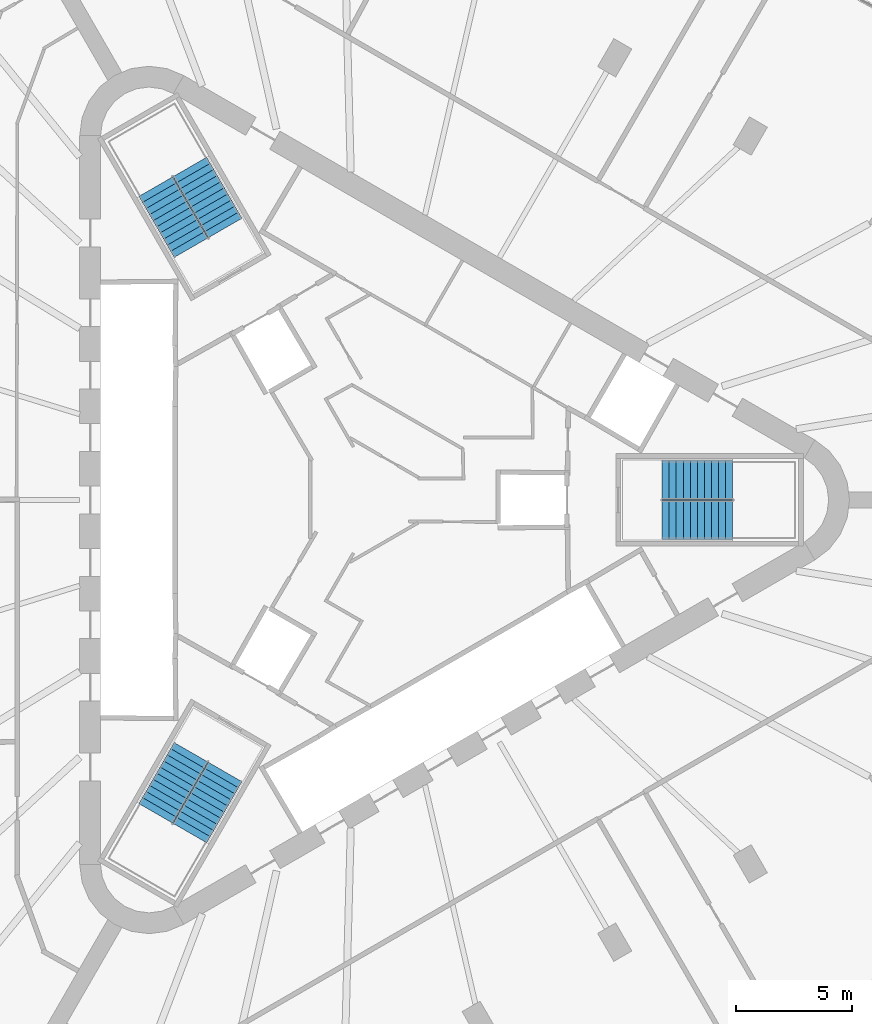
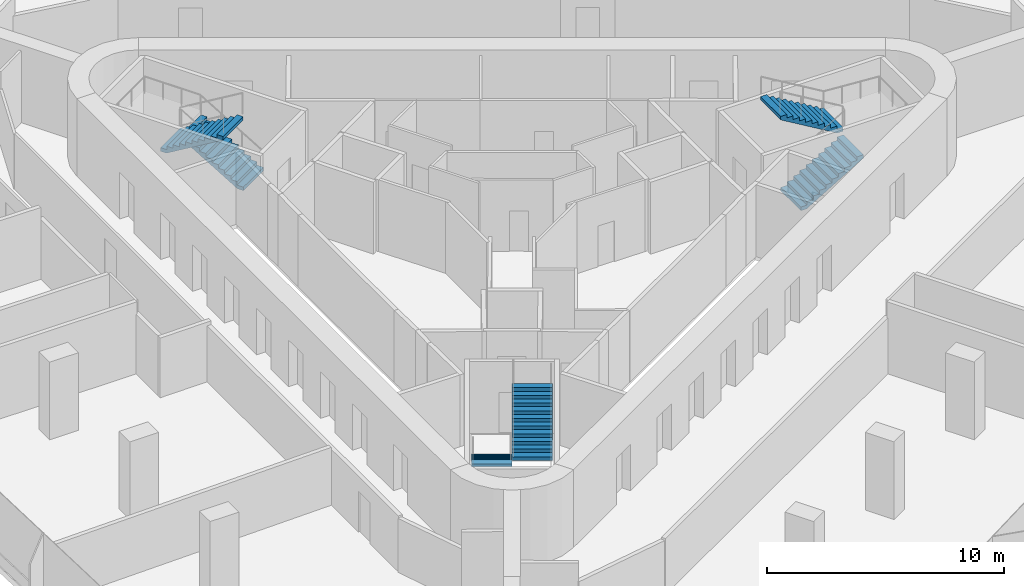
# One storey, part 13 of 14: 6 stair flights, 3 elements without a shape of their own.
"""IFC4 building model written with IfcOpenShell, lengths in metres."""

from ifc_helpers import new_model, si_unit, direction, frame, origin, place, context, subcontext, project, spatial, polyline, outline, extrude, material, type_object, element, aggregate, save


model = new_model("IFC4")

# Units and contexts
model_context = context("Model", 3, precision=1e-05, world=origin(), true_north=direction((0.0, 1.0)))
body_context = subcontext(model_context, "Body", "Model", "MODEL_VIEW")
ifc_project = project(units=[si_unit("LENGTHUNIT", "METRE"), si_unit("AREAUNIT", "SQUARE_METRE"), si_unit("VOLUMEUNIT", "CUBIC_METRE"), si_unit("PLANEANGLEUNIT", "RADIAN"), si_unit("MASSUNIT", "GRAM", prefix="KILO")], contexts=[model_context])

# Site, building, storey
site_placement = place(None, origin())
site = spatial("IfcSite", under=ifc_project, at=site_placement, CompositionType="ELEMENT")
building_placement = place(site_placement, origin())
building = spatial("IfcBuilding", under=site, at=building_placement, Name="Tanit Gate Tower", CompositionType="ELEMENT")
storey_placement = place(building_placement, frame((0.0, 0.0, 225.199951171875)))
storey = spatial("IfcBuildingStorey", under=building, at=storey_placement, Name="L50", CompositionType="ELEMENT", Elevation=225.199951171875)

# Stair, stair flights
ifc_material_1 = material(Name="Concrete C40/50", Category="concrete")
stair_type = type_object("IfcStairType", Name="INT-STAIR-EXIT", PredefinedType="HALF_TURN_STAIR", material=ifc_material_1)
stair_1_placement = place(storey_placement, origin())
stair_1 = element("IfcStair", 1, at=stair_1_placement, inside=storey, type_object=stair_type, Name="L50 STAIR S1", PredefinedType="HALF_TURN_STAIR")
ifc_material_2 = material(Name="Concrete C40/50", Category="concrete")
stair_flight_type = type_object("IfcStairFlightType", Name="INT-STAIR-FLIGHT", PredefinedType="STRAIGHT", material=ifc_material_2)
stair_flight_1_placement = place(storey_placement, frame((13.094970703125, -0.8525390625, 0.0), z_axis=(0.0, 0.0, 1.0), x_axis=(1.0, 0.0, 0.0)))
stair_flight_1 = element("IfcStairFlight", 2, at=stair_flight_1_placement, type_object=stair_flight_type, Name="S1 flight 1", NumberOfRisers=11, NumberOfTreads=10, PredefinedType="STRAIGHT", RiserHeight=0.181818182, TreadLength=0.3051, context=body_context, shape_type="SweptSolid", body=[
    extrude(outline(polyline([(0.0, 0.0), (0.0, 0.181884765625), (0.30517578125, 0.181884765625), (0.30517578125, 0.363525390625), (0.610107421875, 0.363525390625), (0.610107421875, 0.54541015625), (0.915283203125, 0.54541015625), (0.915283203125, 0.727294921875), (1.220458984375, 0.727294921875), (1.220458984375, 0.9091796875), (1.525390625, 0.9091796875), (1.525390625, 1.0908203125), (1.83056640625, 1.0908203125), (1.83056640625, 1.272705078125), (2.1357421875, 1.272705078125), (2.1357421875, 1.45458984375), (2.44091796875, 1.45458984375), (2.44091796875, 1.636474609375), (2.745849609375, 1.636474609375), (2.745849609375, 1.818115234375), (3.051025390625, 1.818115234375), (3.051025390625, 2.0), (3.051025390625, 1.643798828125), (0.292724609375, 0.0), (0.0, 0.0)])), frame((0.0, 0.84765625, 0.0), z_axis=(0.0, -1.0, 0.0), x_axis=(1.0, 0.0, 0.0)), (0.0, 0.0, 1.0), 1.695068359375),
])
stair_flight_2_placement = place(storey_placement, frame((16.14599609375, 0.8525390625, 2.0), z_axis=(0.0, 0.0, 1.0), x_axis=(-1.0, 0.0, 0.0)))
stair_flight_2 = element("IfcStairFlight", 3, at=stair_flight_2_placement, type_object=stair_flight_type, Name="S1 flight 2", NumberOfRisers=11, NumberOfTreads=10, PredefinedType="STRAIGHT", RiserHeight=0.181818182, TreadLength=0.3051, context=body_context, shape_type="SweptSolid", body=[
    extrude(outline(polyline([(0.0, 0.0), (0.0, 0.181884765625), (0.30517578125, 0.181884765625), (0.30517578125, 0.363525390625), (0.610107421875, 0.363525390625), (0.610107421875, 0.54541015625), (0.915283203125, 0.54541015625), (0.915283203125, 0.727294921875), (1.220458984375, 0.727294921875), (1.220458984375, 0.9091796875), (1.525390625, 0.9091796875), (1.525390625, 1.0908203125), (1.83056640625, 1.0908203125), (1.83056640625, 1.272705078125), (2.1357421875, 1.272705078125), (2.1357421875, 1.45458984375), (2.44091796875, 1.45458984375), (2.44091796875, 1.636474609375), (2.745849609375, 1.636474609375), (2.745849609375, 1.818115234375), (3.051025390625, 1.818115234375), (3.051025390625, 2.0), (3.051025390625, 1.643798828125), (0.292724609375, 0.0), (0.0, 0.0)])), frame((0.0, 0.84765625, 0.0), z_axis=(0.0, -1.0, 0.0), x_axis=(1.0, 0.0, 0.0)), (0.0, 0.0, 1.0), 1.695068359375),
])
aggregate(stair_1, [stair_flight_1, stair_flight_2])

stair_2_placement = place(storey_placement, origin())
stair_2 = element("IfcStair", 4, at=stair_2_placement, inside=storey, type_object=stair_type, Name="L50 STAIR S2", PredefinedType="HALF_TURN_STAIR")
stair_flight_3_placement = place(storey_placement, frame((-5.808349609375, 11.766357421875, 0.0), z_axis=(0.0, 0.0, 1.0), x_axis=(-0.5, 0.866025403784, 0.0)))
stair_flight_3 = element("IfcStairFlight", 5, at=stair_flight_3_placement, type_object=stair_flight_type, Name="S2 flight 1", NumberOfRisers=11, NumberOfTreads=10, PredefinedType="STRAIGHT", RiserHeight=0.181818182, TreadLength=0.30492, context=body_context, shape_type="SweptSolid", body=[
    extrude(outline(polyline([(0.0, 0.0), (0.0, 0.181884765625), (0.304931640625, 0.181884765625), (0.304931640625, 0.363525390625), (0.60986328125, 0.363525390625), (0.60986328125, 0.54541015625), (0.914794921875, 0.54541015625), (0.914794921875, 0.727294921875), (1.2197265625, 0.727294921875), (1.2197265625, 0.9091796875), (1.524658203125, 0.9091796875), (1.524658203125, 1.0908203125), (1.82958984375, 1.0908203125), (1.82958984375, 1.272705078125), (2.134521484375, 1.272705078125), (2.134521484375, 1.45458984375), (2.439453125, 1.45458984375), (2.439453125, 1.636474609375), (2.744384765625, 1.636474609375), (2.744384765625, 1.818115234375), (3.04931640625, 1.818115234375), (3.04931640625, 2.0), (3.04931640625, 1.6435546875), (0.292724609375, 0.0), (0.0, 0.0)])), frame((0.0, 0.84716796875, 0.0), z_axis=(0.0, -1.0, 0.0), x_axis=(1.0, 0.0, 0.0)), (0.0, 0.0, 1.0), 1.694091796875),
])
stair_flight_4_placement = place(storey_placement, frame((-8.810302734375, 13.553955078125, 2.0), z_axis=(0.0, 0.0, 1.0), x_axis=(0.5, -0.866025403784, 0.0)))
stair_flight_4 = element("IfcStairFlight", 6, at=stair_flight_4_placement, type_object=stair_flight_type, Name="S2 flight 2", NumberOfRisers=11, NumberOfTreads=10, PredefinedType="STRAIGHT", RiserHeight=0.181818182, TreadLength=0.30492, context=body_context, shape_type="SweptSolid", body=[
    extrude(outline(polyline([(0.0, 0.0), (0.0, 0.181884765625), (0.304931640625, 0.181884765625), (0.304931640625, 0.363525390625), (0.60986328125, 0.363525390625), (0.60986328125, 0.54541015625), (0.914794921875, 0.54541015625), (0.914794921875, 0.727294921875), (1.2197265625, 0.727294921875), (1.2197265625, 0.9091796875), (1.524658203125, 0.9091796875), (1.524658203125, 1.0908203125), (1.82958984375, 1.0908203125), (1.82958984375, 1.272705078125), (2.134521484375, 1.272705078125), (2.134521484375, 1.45458984375), (2.439453125, 1.45458984375), (2.439453125, 1.636474609375), (2.744384765625, 1.636474609375), (2.744384765625, 1.818115234375), (3.04931640625, 1.818115234375), (3.04931640625, 2.0), (3.04931640625, 1.6435546875), (0.292724609375, 0.0), (0.0, 0.0)])), frame((0.0, 0.84716796875, 0.0), z_axis=(0.0, -1.0, 0.0), x_axis=(1.0, 0.0, 0.0)), (0.0, 0.0, 1.0), 1.694091796875),
])
aggregate(stair_2, [stair_flight_3, stair_flight_4])

stair_3_placement = place(storey_placement, origin())
stair_3 = element("IfcStair", 7, at=stair_3_placement, inside=storey, type_object=stair_type, Name="L50 STAIR S3", PredefinedType="HALF_TURN_STAIR")
stair_flight_5_placement = place(storey_placement, frame((-7.285888671875, -10.914306640625, 0.0), z_axis=(0.0, 0.0, 1.0), x_axis=(-0.5, -0.866025403784, 0.0)))
stair_flight_5 = element("IfcStairFlight", 8, at=stair_flight_5_placement, type_object=stair_flight_type, Name="S3 flight 1", NumberOfRisers=11, NumberOfTreads=10, PredefinedType="STRAIGHT", RiserHeight=0.181818182, TreadLength=0.3051, context=body_context, shape_type="SweptSolid", body=[
    extrude(outline(polyline([(0.0, 0.0), (0.0, 0.181884765625), (0.30517578125, 0.181884765625), (0.30517578125, 0.363525390625), (0.610107421875, 0.363525390625), (0.610107421875, 0.54541015625), (0.915283203125, 0.54541015625), (0.915283203125, 0.727294921875), (1.220458984375, 0.727294921875), (1.220458984375, 0.9091796875), (1.525390625, 0.9091796875), (1.525390625, 1.0908203125), (1.83056640625, 1.0908203125), (1.83056640625, 1.272705078125), (2.1357421875, 1.272705078125), (2.1357421875, 1.45458984375), (2.44091796875, 1.45458984375), (2.44091796875, 1.636474609375), (2.745849609375, 1.636474609375), (2.745849609375, 1.818115234375), (3.051025390625, 1.818115234375), (3.051025390625, 2.0), (3.051025390625, 1.643798828125), (0.292724609375, 0.0), (0.0, 0.0)])), frame((0.0, 0.84765625, 0.0), z_axis=(0.0, -1.0, 0.0), x_axis=(1.0, 0.0, 0.0)), (0.0, 0.0, 1.0), 1.695068359375),
])
stair_flight_6_placement = place(storey_placement, frame((-7.334716796875, -14.4091796875, 2.0), z_axis=(0.0, 0.0, 1.0), x_axis=(0.5, 0.866025403784, 0.0)))
stair_flight_6 = element("IfcStairFlight", 9, at=stair_flight_6_placement, type_object=stair_flight_type, Name="S3 flight 2", NumberOfRisers=11, NumberOfTreads=10, PredefinedType="STRAIGHT", RiserHeight=0.181818182, TreadLength=0.3051, context=body_context, shape_type="SweptSolid", body=[
    extrude(outline(polyline([(0.0, 0.0), (0.0, 0.181884765625), (0.30517578125, 0.181884765625), (0.30517578125, 0.363525390625), (0.610107421875, 0.363525390625), (0.610107421875, 0.54541015625), (0.915283203125, 0.54541015625), (0.915283203125, 0.727294921875), (1.220458984375, 0.727294921875), (1.220458984375, 0.9091796875), (1.525390625, 0.9091796875), (1.525390625, 1.0908203125), (1.83056640625, 1.0908203125), (1.83056640625, 1.272705078125), (2.1357421875, 1.272705078125), (2.1357421875, 1.45458984375), (2.44091796875, 1.45458984375), (2.44091796875, 1.636474609375), (2.745849609375, 1.636474609375), (2.745849609375, 1.818115234375), (3.051025390625, 1.818115234375), (3.051025390625, 2.0), (3.051025390625, 1.643798828125), (0.292724609375, 0.0), (0.0, 0.0)])), frame((0.0, 0.84765625, 0.0), z_axis=(0.0, -1.0, 0.0), x_axis=(1.0, 0.0, 0.0)), (0.0, 0.0, 1.0), 1.695068359375),
])
aggregate(stair_3, [stair_flight_5, stair_flight_6])

save(model, "model.ifc")
